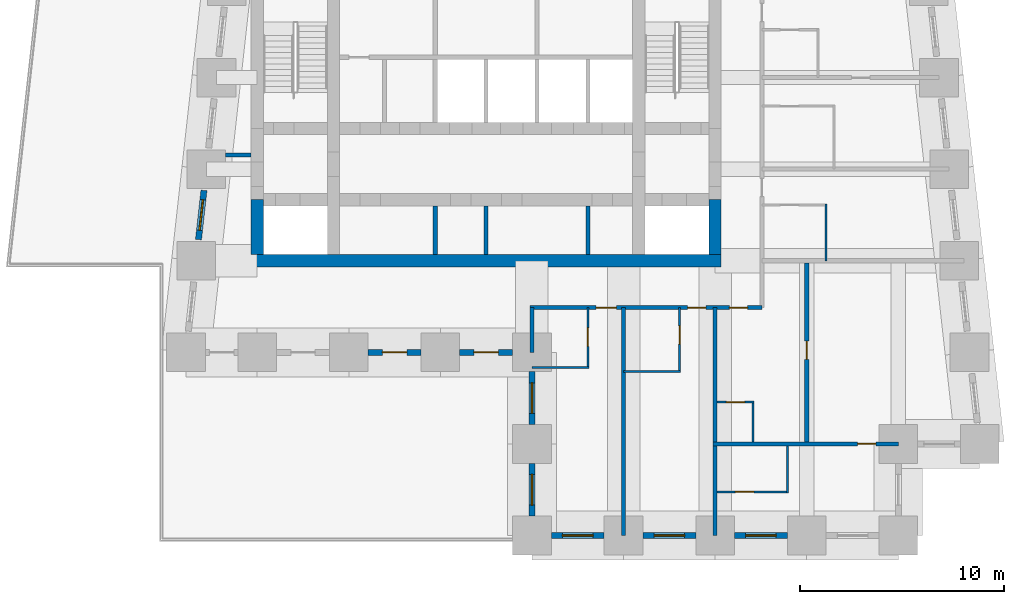
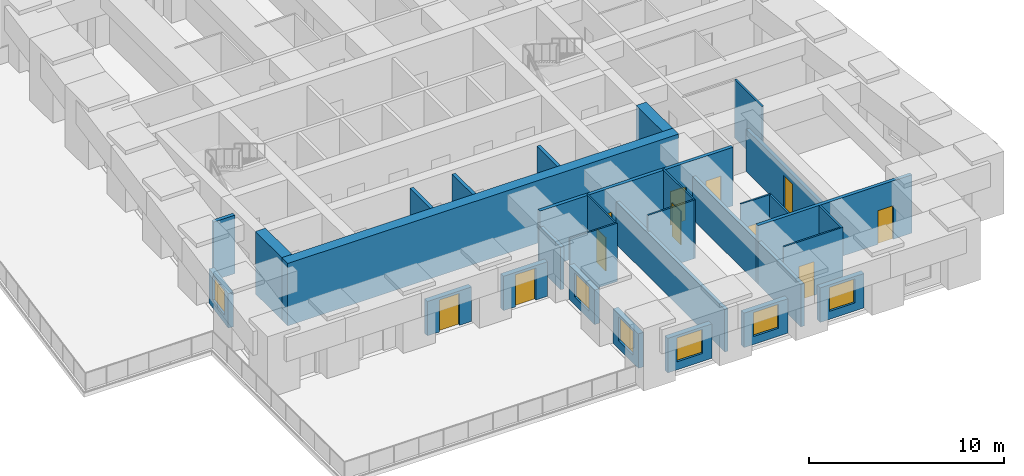
# One storey, part 2 of 7: 30 walls, 11 doors, 6 windows, 17 openings.
"""IFC4 building model written with IfcOpenShell, lengths in metres."""

from ifc_helpers import new_model, si_unit, direction, frame, frame_2d, origin, place, context, subcontext, project, spatial, rectangle, extrude, material, layer, layer_set, type_object, element, fill, save


model = new_model("IFC4")

# Units and contexts
model_context = context("Model", 3, precision=1e-05, world=origin(), true_north=direction((0.0, 1.0)))
body_context = subcontext(model_context, "Body", "Model", "MODEL_VIEW")
ifc_project = project(units=[si_unit("LENGTHUNIT", "METRE"), si_unit("AREAUNIT", "SQUARE_METRE"), si_unit("VOLUMEUNIT", "CUBIC_METRE"), si_unit("PLANEANGLEUNIT", "RADIAN"), si_unit("MASSUNIT", "GRAM", prefix="KILO")], contexts=[model_context])

# Site, building, storey
site_placement = place(None, origin())
site = spatial("IfcSite", under=ifc_project, at=site_placement, CompositionType="ELEMENT")
building_placement = place(site_placement, origin())
building = spatial("IfcBuilding", under=site, at=building_placement, Name="Kilele Tower Hotel", CompositionType="ELEMENT")
storey_placement = place(building_placement, frame((0.0, 0.0, 217.39990234375)))
storey = spatial("IfcBuildingStorey", under=building, at=storey_placement, Name="L56", CompositionType="ELEMENT", Elevation=217.39990234375)

# Wall
ifc_material_1 = material(Name="Moisture-resistant board")
ifc_layer_1 = layer(ifc_material_1, 0.10009765625)
ifc_layer_set_1 = layer_set([ifc_layer_1], Name="Moisture-resistant board")
wall_type_1 = type_object("IfcWallType", Name="Bathroom partition 100", PredefinedType="PLUMBINGWALL", material=ifc_layer_set_1)
wall_1_placement = place(storey_placement, frame((27.0, 8.25, 0.0), z_axis=(0.0, 0.0, 1.0), x_axis=(1.0, 0.0, 0.0)))
element("IfcWall", 1, at=wall_1_placement, inside=storey, type_object=wall_type_1, Name="Bathroom partition 100 L56", PredefinedType="PLUMBINGWALL", context=body_context, shape_type="SweptSolid", body=[
    extrude(rectangle(XDim=2.800048828125, YDim=0.10009765625, at=frame_2d((1.39990234375, 0.0))), origin(), (0.0, 0.0, 1.0), 3.650146484375),
])

# Wall, opening, door
wall_2_placement = place(storey_placement, frame((29.75, 11.199951171875, 0.0), z_axis=(0.0, 0.0, 1.0), x_axis=(0.0, -1.0, 0.0)))
wall_2 = element("IfcWall", 2, at=wall_2_placement, inside=storey, type_object=wall_type_1, Name="Bathroom partition 100 L56", PredefinedType="PLUMBINGWALL", context=body_context, shape_type="SweptSolid", body=[
    extrude(rectangle(XDim=3.0, YDim=0.10009765625, at=frame_2d((1.5, 0.0))), origin(), (0.0, 0.0, 1.0), 3.650146484375),
])
opening_1_placement = place(wall_2_placement, frame((1.0, 0.0, 0.0)))
opening_1 = element("IfcOpeningElement", 3, at=opening_1_placement, cuts=wall_2, Name="Opening D2A", PredefinedType="OPENING", context=body_context, shape_type="SweptSolid", body=[
    extrude(rectangle(XDim=0.89990234375, YDim=2.10009765625, at=frame_2d((0.449951171875, 1.050048828125))), frame((0.0, 0.06005859375, 0.0), z_axis=(0.0, -1.0, 0.0), x_axis=(1.0, 0.0, 0.0)), (0.0, 0.0, 1.0), 0.1201171875),
])
ifc_material_2 = material(Name="Timber door leaf in hardwood frame", Category="wood")
door_type_1 = type_object("IfcDoorType", Name="Bathroom door 900", OperationType="SINGLE_SWING_LEFT", PredefinedType="DOOR", material=ifc_material_2)
door_1_placement = place(opening_1_placement, origin())
door_1 = element("IfcDoor", 4, at=door_1_placement, inside=storey, type_object=door_type_1, Name="Bathroom door 5602B", OperationType="SINGLE_SWING_LEFT", OverallHeight=2.10009765625, OverallWidth=0.89990234375, PredefinedType="DOOR", context=body_context, shape_type="SweptSolid", body=[
    extrude(rectangle(XDim=0.89990234375, YDim=2.10009765625, at=frame_2d((0.449951171875, 1.050048828125))), frame((0.0, 0.02490234375, 0.0), z_axis=(0.0, -1.0, 0.0), x_axis=(1.0, 0.0, 0.0)), (0.0, 0.0, 1.0), 0.050048828125),
])
fill(opening_1, door_1)

# Wall
wall_3_placement = place(storey_placement, frame((31.5, 8.050048828125, 0.0), z_axis=(0.0, 0.0, 1.0), x_axis=(1.0, 0.0, 0.0)))
element("IfcWall", 5, at=wall_3_placement, inside=storey, type_object=wall_type_1, Name="Bathroom partition 100 L56", PredefinedType="PLUMBINGWALL", context=body_context, shape_type="SweptSolid", body=[
    extrude(rectangle(XDim=2.800048828125, YDim=0.10009765625, at=frame_2d((1.39990234375, 0.0))), origin(), (0.0, 0.0, 1.0), 3.650146484375),
])

# Wall, opening, door
wall_4_placement = place(storey_placement, frame((34.25, 11.199951171875, 0.0), z_axis=(0.0, 0.0, 1.0), x_axis=(0.0, -1.0, 0.0)))
wall_4 = element("IfcWall", 6, at=wall_4_placement, inside=storey, type_object=wall_type_1, Name="Bathroom partition 100 L56", PredefinedType="PLUMBINGWALL", context=body_context, shape_type="SweptSolid", body=[
    extrude(rectangle(XDim=3.199951171875, YDim=0.10009765625, at=frame_2d((1.60009765625, 0.0))), origin(), (0.0, 0.0, 1.0), 3.650146484375),
])
opening_2_placement = place(wall_4_placement, frame((0.89990234375, 0.0, 0.0)))
opening_2 = element("IfcOpeningElement", 7, at=opening_2_placement, cuts=wall_4, Name="Opening D2A", PredefinedType="OPENING", context=body_context, shape_type="SweptSolid", body=[
    extrude(rectangle(XDim=0.89990234375, YDim=2.10009765625, at=frame_2d((0.449951171875, 1.050048828125))), frame((0.0, 0.06005859375, 0.0), z_axis=(0.0, -1.0, 0.0), x_axis=(1.0, 0.0, 0.0)), (0.0, 0.0, 1.0), 0.1201171875),
])
door_2_placement = place(opening_2_placement, origin())
door_2 = element("IfcDoor", 8, at=door_2_placement, inside=storey, type_object=door_type_1, Name="Bathroom door 5603B", OperationType="SINGLE_SWING_LEFT", OverallHeight=2.10009765625, OverallWidth=0.89990234375, PredefinedType="DOOR", context=body_context, shape_type="SweptSolid", body=[
    extrude(rectangle(XDim=0.89990234375, YDim=2.10009765625, at=frame_2d((0.449951171875, 1.050048828125))), frame((0.0, 0.02490234375, 0.0), z_axis=(0.0, -1.0, 0.0), x_axis=(1.0, 0.0, 0.0)), (0.0, 0.0, 1.0), 0.050048828125),
])
fill(opening_2, door_2)

# Walls
wall_5_placement = place(storey_placement, frame((41.449951171875, 13.5, 0.0), z_axis=(0.0, 0.0, 1.0), x_axis=(0.0, 1.0, 0.0)))
element("IfcWall", 9, at=wall_5_placement, inside=storey, type_object=wall_type_1, Name="Bathroom partition 100 L56", PredefinedType="PLUMBINGWALL", context=body_context, shape_type="SweptSolid", body=[
    extrude(rectangle(XDim=2.800048828125, YDim=0.10009765625, at=frame_2d((1.39990234375, 0.0))), origin(), (0.0, 0.0, 1.0), 3.650146484375),
])
wall_6_placement = place(storey_placement, frame((37.85009765625, 4.60009765625, 0.0), z_axis=(0.0, 0.0, 1.0), x_axis=(0.0, 1.0, 0.0)))
element("IfcWall", 10, at=wall_6_placement, inside=storey, type_object=wall_type_1, Name="Bathroom partition 100 L56", PredefinedType="PLUMBINGWALL", context=body_context, shape_type="SweptSolid", body=[
    extrude(rectangle(XDim=2.0, YDim=0.10009765625, at=frame_2d((1.0, 0.0))), origin(), (0.0, 0.0, 1.0), 3.650146484375),
])

# Wall, opening, door
wall_7_placement = place(storey_placement, frame((36.10009765625, 6.550048828125, 0.0), z_axis=(0.0, 0.0, 1.0), x_axis=(1.0, 0.0, 0.0)))
wall_7 = element("IfcWall", 11, at=wall_7_placement, inside=storey, type_object=wall_type_1, Name="Bathroom partition 100 L56", PredefinedType="PLUMBINGWALL", context=body_context, shape_type="SweptSolid", body=[
    extrude(rectangle(XDim=1.7998046875, YDim=0.10009765625, at=frame_2d((0.89990234375, 0.0))), origin(), (0.0, 0.0, 1.0), 3.650146484375),
])
opening_3_placement = place(wall_7_placement, frame((0.449951171875, 0.0, 0.0)))
opening_3 = element("IfcOpeningElement", 12, at=opening_3_placement, cuts=wall_7, Name="Opening D2A", PredefinedType="OPENING", context=body_context, shape_type="SweptSolid", body=[
    extrude(rectangle(XDim=0.89990234375, YDim=2.10009765625, at=frame_2d((0.449951171875, 1.050048828125))), frame((0.0, 0.06005859375, 0.0), z_axis=(0.0, -1.0, 0.0), x_axis=(1.0, 0.0, 0.0)), (0.0, 0.0, 1.0), 0.1201171875),
])
door_3_placement = place(opening_3_placement, origin())
door_3 = element("IfcDoor", 13, at=door_3_placement, inside=storey, type_object=door_type_1, Name="Bathroom door 5612P", OperationType="SINGLE_SWING_LEFT", OverallHeight=2.10009765625, OverallWidth=0.89990234375, PredefinedType="DOOR", context=body_context, shape_type="SweptSolid", body=[
    extrude(rectangle(XDim=0.89990234375, YDim=2.10009765625, at=frame_2d((0.449951171875, 1.050048828125))), frame((0.0, 0.02490234375, 0.0), z_axis=(0.0, -1.0, 0.0), x_axis=(1.0, 0.0, 0.0)), (0.0, 0.0, 1.0), 0.050048828125),
])
fill(opening_3, door_3)

# Wall
wall_8_placement = place(storey_placement, frame((39.550048828125, 4.39990234375, 0.0), z_axis=(0.0, 0.0, 1.0), x_axis=(0.0, -1.0, 0.0)))
element("IfcWall", 14, at=wall_8_placement, inside=storey, type_object=wall_type_1, Name="Bathroom partition 100 L56", PredefinedType="PLUMBINGWALL", context=body_context, shape_type="SweptSolid", body=[
    extrude(rectangle(XDim=2.2998046875, YDim=0.10009765625, at=frame_2d((1.14990234375, 0.0))), origin(), (0.0, 0.0, 1.0), 3.650146484375),
])

# Wall, opening, door
wall_9_placement = place(storey_placement, frame((36.10009765625, 2.14990234375, 0.0), z_axis=(0.0, 0.0, 1.0), x_axis=(1.0, 0.0, 0.0)))
wall_9 = element("IfcWall", 15, at=wall_9_placement, inside=storey, type_object=wall_type_1, Name="Bathroom partition 100 L56", PredefinedType="PLUMBINGWALL", context=body_context, shape_type="SweptSolid", body=[
    extrude(rectangle(XDim=3.5, YDim=0.10009765625, at=frame_2d((1.75, 0.0))), origin(), (0.0, 0.0, 1.0), 3.650146484375),
])
opening_4_placement = place(wall_9_placement, frame((1.7998046875, 0.0, 0.0), z_axis=(0.0, 0.0, 1.0), x_axis=(-1.0, 0.0, 0.0)))
opening_4 = element("IfcOpeningElement", 16, at=opening_4_placement, cuts=wall_9, Name="Opening D2A", PredefinedType="OPENING", context=body_context, shape_type="SweptSolid", body=[
    extrude(rectangle(XDim=0.89990234375, YDim=2.10009765625, at=frame_2d((0.449951171875, 1.050048828125))), frame((0.0, 0.06005859375, 0.0), z_axis=(0.0, -1.0, 0.0), x_axis=(1.0, 0.0, 0.0)), (0.0, 0.0, 1.0), 0.1201171875),
])
door_4_placement = place(opening_4_placement, origin())
door_4 = element("IfcDoor", 17, at=door_4_placement, inside=storey, type_object=door_type_1, Name="Bathroom door 5614B", OperationType="SINGLE_SWING_RIGHT", OverallHeight=2.10009765625, OverallWidth=0.89990234375, PredefinedType="DOOR", context=body_context, shape_type="SweptSolid", body=[
    extrude(rectangle(XDim=0.89990234375, YDim=2.10009765625, at=frame_2d((0.449951171875, 1.050048828125))), frame((0.0, 0.02490234375, 0.0), z_axis=(0.0, -1.0, 0.0), x_axis=(1.0, 0.0, 0.0)), (0.0, 0.0, 1.0), 0.050048828125),
])
fill(opening_4, door_4)

# Walls
ifc_material_3 = material(Name="Concrete C60/75", Category="concrete")
ifc_layer_2 = layer(ifc_material_3, 0.60009765625)
ifc_layer_set_2 = layer_set([ifc_layer_2], Name="Concrete C60/75")
wall_type_2 = type_object("IfcWallType", Name="Core wall 600 C60/75", PredefinedType="SHEAR", material=ifc_layer_set_2)
wall_10_placement = place(storey_placement, frame((13.199951171875, 13.5, 0.0), z_axis=(0.0, 0.0, 1.0), x_axis=(1.0, 0.0, 0.0)))
element("IfcWall", 18, at=wall_10_placement, inside=storey, type_object=wall_type_2, Name="Core wall S L56", PredefinedType="SHEAR", context=body_context, shape_type="SweptSolid", body=[
    extrude(rectangle(XDim=23.10009765625, YDim=0.60009765625, at=frame_2d((11.550048828125, 0.0))), origin(), (0.0, 0.0, 1.0), 3.900146484375),
])
for number, where, z_axis, x_axis, name in (
    (19, (13.5, 16.5, 0.0), (0.0, 0.0, 1.0), (0.0, -1.0, 0.0), "Core wall W3 L56"),
    (20, (36.0, 13.800048828125, 0.0), (0.0, 0.0, 1.0), (0.0, 1.0, 0.0), "Core wall E1 L56"),
):
    element("IfcWall", number, at=place(storey_placement, frame(where, z_axis=z_axis, x_axis=x_axis)), inside=storey, type_object=wall_type_2, Name=name, PredefinedType="SHEAR", context=body_context, shape_type="SweptSolid", body=[
        extrude(rectangle(XDim=2.699951171875, YDim=0.60009765625, at=frame_2d((1.35009765625, 0.0))), origin(), (0.0, 0.0, 1.0), 3.900146484375),
    ])

# Wall, openings, doors
ifc_material_4 = material(Name="Blockwork, plastered both sides", Category="masonry")
ifc_layer_3 = layer(ifc_material_4, 0.199951171875)
ifc_layer_set_3 = layer_set([ifc_layer_3], Name="Blockwork, plastered both sides")
wall_type_3 = type_object("IfcWallType", Name="Corridor wall 200", PredefinedType="PARTITIONING", material=ifc_layer_set_3)
wall_11_placement = place(storey_placement, frame((26.89990234375, 11.199951171875, 0.0), z_axis=(0.0, 0.0, 1.0), x_axis=(1.0, 0.0, 0.0)))
wall_11 = element("IfcWall", 21, at=wall_11_placement, inside=storey, type_object=wall_type_3, Name="Corridor wall 200 L56", PredefinedType="PARTITIONING", context=body_context, shape_type="SweptSolid", body=[
    extrude(rectangle(XDim=11.400146484375, YDim=0.199951171875, at=frame_2d((5.7001953125, 0.0))), origin(), (0.0, 0.0, 1.0), 3.650146484375),
])
opening_5_placement = place(wall_11_placement, frame((4.25, 0.0, 0.0), z_axis=(0.0, 0.0, 1.0), x_axis=(-1.0, 0.0, 0.0)))
opening_5 = element("IfcOpeningElement", 22, at=opening_5_placement, cuts=wall_11, Name="Opening D1A", PredefinedType="OPENING", context=body_context, shape_type="SweptSolid", body=[
    extrude(rectangle(XDim=1.0, YDim=2.10009765625, at=frame_2d((0.5, 1.050048828125))), frame((0.0, 0.10986328125, 0.0), z_axis=(0.0, -1.0, 0.0), x_axis=(1.0, 0.0, 0.0)), (0.0, 0.0, 1.0), 0.219970703125),
])
opening_6_placement = place(wall_11_placement, frame((8.64990234375, 0.0, 0.0), z_axis=(0.0, 0.0, 1.0), x_axis=(-1.0, 0.0, 0.0)))
opening_6 = element("IfcOpeningElement", 23, at=opening_6_placement, cuts=wall_11, Name="Opening D1", PredefinedType="OPENING", context=body_context, shape_type="SweptSolid", body=[
    extrude(rectangle(XDim=0.89990234375, YDim=2.10009765625, at=frame_2d((0.449951171875, 1.050048828125))), frame((0.0, 0.10986328125, 0.0), z_axis=(0.0, -1.0, 0.0), x_axis=(1.0, 0.0, 0.0)), (0.0, 0.0, 1.0), 0.219970703125),
])
opening_7_placement = place(wall_11_placement, frame((10.699951171875, 0.0, 0.0), z_axis=(0.0, 0.0, 1.0), x_axis=(-1.0, 0.0, 0.0)))
opening_7 = element("IfcOpeningElement", 24, at=opening_7_placement, cuts=wall_11, Name="Opening D1", PredefinedType="OPENING", context=body_context, shape_type="SweptSolid", body=[
    extrude(rectangle(XDim=0.89990234375, YDim=2.10009765625, at=frame_2d((0.449951171875, 1.050048828125))), frame((0.0, 0.10986328125, 0.0), z_axis=(0.0, -1.0, 0.0), x_axis=(1.0, 0.0, 0.0)), (0.0, 0.0, 1.0), 0.219970703125),
])
ifc_material_5 = material(Name="Timber door leaf in hardwood frame", Category="wood")
door_type_2 = type_object("IfcDoorType", Name="Guest room entrance door 1000", OperationType="SINGLE_SWING_LEFT", PredefinedType="DOOR", material=ifc_material_5)
door_5_placement = place(opening_5_placement, origin())
door_5 = element("IfcDoor", 25, at=door_5_placement, inside=storey, type_object=door_type_2, Name="Room entrance 5602", OperationType="SINGLE_SWING_RIGHT", OverallHeight=2.10009765625, OverallWidth=1.0, PredefinedType="DOOR", context=body_context, shape_type="SweptSolid", body=[
    extrude(rectangle(XDim=1.0, YDim=2.10009765625, at=frame_2d((0.5, 1.050048828125))), frame((0.0, 0.02490234375, 0.0), z_axis=(0.0, -1.0, 0.0), x_axis=(1.0, 0.0, 0.0)), (0.0, 0.0, 1.0), 0.050048828125),
])
fill(opening_5, door_5)
ifc_material_6 = material(Name="Timber door leaf in hardwood frame", Category="wood")
door_type_3 = type_object("IfcDoorType", Name="Guest room entrance door 900", OperationType="SINGLE_SWING_LEFT", PredefinedType="DOOR", material=ifc_material_6)
door_6_placement = place(opening_6_placement, origin())
door_6 = element("IfcDoor", 26, at=door_6_placement, inside=storey, type_object=door_type_3, Name="Room entrance 5603", OperationType="SINGLE_SWING_LEFT", OverallHeight=2.10009765625, OverallWidth=0.89990234375, PredefinedType="DOOR", context=body_context, shape_type="SweptSolid", body=[
    extrude(rectangle(XDim=0.89990234375, YDim=2.10009765625, at=frame_2d((0.449951171875, 1.050048828125))), frame((0.0, 0.02490234375, 0.0), z_axis=(0.0, -1.0, 0.0), x_axis=(1.0, 0.0, 0.0)), (0.0, 0.0, 1.0), 0.050048828125),
])
fill(opening_6, door_6)
door_7_placement = place(opening_7_placement, origin())
door_7 = element("IfcDoor", 27, at=door_7_placement, inside=storey, type_object=door_type_3, Name="Room entrance 5612", OperationType="SINGLE_SWING_RIGHT", OverallHeight=2.10009765625, OverallWidth=0.89990234375, PredefinedType="DOOR", context=body_context, shape_type="SweptSolid", body=[
    extrude(rectangle(XDim=0.89990234375, YDim=2.10009765625, at=frame_2d((0.449951171875, 1.050048828125))), frame((0.0, 0.02490234375, 0.0), z_axis=(0.0, -1.0, 0.0), x_axis=(1.0, 0.0, 0.0)), (0.0, 0.0, 1.0), 0.050048828125),
])
fill(opening_7, door_7)

# Wall
ifc_material_7 = material(Name="Blockwork, plastered both sides", Category="masonry")
ifc_layer_4 = layer(ifc_material_7, 0.199951171875)
ifc_layer_set_4 = layer_set([ifc_layer_4], Name="Blockwork, plastered both sides")
wall_type_4 = type_object("IfcWallType", Name="Partition wall 200", PredefinedType="PARTITIONING", material=ifc_layer_set_4)
wall_12_placement = place(storey_placement, frame((13.199951171875, 18.699951171875, 0.0), z_axis=(0.0, 0.0, 1.0), x_axis=(-1.0, 0.0, 0.0)))
element("IfcWall", 28, at=wall_12_placement, inside=storey, type_object=wall_type_4, Name="Partition wall 200 L56", PredefinedType="PARTITIONING", context=body_context, shape_type="SweptSolid", body=[
    extrude(rectangle(XDim=1.25, YDim=0.199951171875, at=frame_2d((0.625, 0.0))), origin(), (0.0, 0.0, 1.0), 3.650146484375),
])

# Wall, opening, door
wall_13_placement = place(storey_placement, frame((40.5, 4.60009765625, 0.0), z_axis=(0.0, 0.0, 1.0), x_axis=(0.0, 1.0, 0.0)))
wall_13 = element("IfcWall", 29, at=wall_13_placement, inside=storey, type_object=wall_type_4, Name="Partition wall 200 L56", PredefinedType="PARTITIONING", context=body_context, shape_type="SweptSolid", body=[
    extrude(rectangle(XDim=8.7998046875, YDim=0.199951171875, at=frame_2d((4.39990234375, 0.0))), origin(), (0.0, 0.0, 1.0), 2.650146484375),
])
opening_8_placement = place(wall_13_placement, frame((4.050048828125, 0.0, 0.0)))
opening_8 = element("IfcOpeningElement", 30, at=opening_8_placement, cuts=wall_13, Name="Opening D3", PredefinedType="OPENING", context=body_context, shape_type="SweptSolid", body=[
    extrude(rectangle(XDim=0.89990234375, YDim=2.10009765625, at=frame_2d((0.449951171875, 1.050048828125))), frame((0.0, 0.10986328125, 0.0), z_axis=(0.0, -1.0, 0.0), x_axis=(1.0, 0.0, 0.0)), (0.0, 0.0, 1.0), 0.219970703125),
])
ifc_material_8 = material(Name="Timber door leaf in hardwood frame", Category="wood")
door_type_4 = type_object("IfcDoorType", Name="Suite internal door 900", OperationType="SINGLE_SWING_LEFT", PredefinedType="DOOR", material=ifc_material_8)
door_8_placement = place(opening_8_placement, origin())
door_8 = element("IfcDoor", 31, at=door_8_placement, inside=storey, type_object=door_type_4, Name="Suite door 5613", OperationType="SINGLE_SWING_RIGHT", OverallHeight=2.10009765625, OverallWidth=0.89990234375, PredefinedType="DOOR", context=body_context, shape_type="SweptSolid", body=[
    extrude(rectangle(XDim=0.89990234375, YDim=2.10009765625, at=frame_2d((0.449951171875, 1.050048828125))), frame((0.0, 0.02490234375, 0.0), z_axis=(0.0, -1.0, 0.0), x_axis=(1.0, 0.0, 0.0)), (0.0, 0.0, 1.0), 0.050048828125),
])
fill(opening_8, door_8)

# Walls
ifc_material_9 = material(Name="Blockwork, plastered both sides", Category="masonry")
ifc_layer_5 = layer(ifc_material_9, 0.199951171875)
ifc_layer_set_5 = layer_set([ifc_layer_5], Name="Blockwork, plastered both sides")
wall_type_5 = type_object("IfcWallType", Name="Party wall 200", PredefinedType="PARTITIONING", material=ifc_layer_set_5)
wall_14_placement = place(storey_placement, frame((27.0, 11.199951171875, 0.0), z_axis=(0.0, 0.0, 1.0), x_axis=(0.0, -1.0, 0.0)))
element("IfcWall", 32, at=wall_14_placement, inside=storey, type_object=wall_type_5, Name="Party wall 200 L56", PredefinedType="PARTITIONING", context=body_context, shape_type="SweptSolid", body=[
    extrude(rectangle(XDim=2.199951171875, YDim=0.199951171875, at=frame_2d((1.10009765625, 0.0))), origin(), (0.0, 0.0, 1.0), 2.650146484375),
])
for number, where, z_axis, x_axis, name in (
    (33, (31.5, 11.199951171875, 0.0), (0.0, 0.0, 1.0), (0.0, -1.0, 0.0), "Party wall 200 L56"),
    (34, (36.0, 11.199951171875, 0.0), (0.0, 0.0, 1.0), (0.0, -1.0, 0.0), "Party wall 200 L56"),
):
    element("IfcWall", number, at=place(storey_placement, frame(where, z_axis=z_axis, x_axis=x_axis)), inside=storey, type_object=wall_type_5, Name=name, PredefinedType="PARTITIONING", context=body_context, shape_type="SweptSolid", body=[
        extrude(rectangle(XDim=11.199951171875, YDim=0.199951171875, at=frame_2d((5.60009765625, 0.0))), origin(), (0.0, 0.0, 1.0), 2.650146484375),
    ])

# Wall, opening, door
wall_15_placement = place(storey_placement, frame((35.89990234375, 4.5, 0.0), z_axis=(0.0, 0.0, 1.0), x_axis=(1.0, 0.0, 0.0)))
wall_15 = element("IfcWall", 35, at=wall_15_placement, inside=storey, type_object=wall_type_5, Name="Party wall 200 L56", PredefinedType="PARTITIONING", context=body_context, shape_type="SweptSolid", body=[
    extrude(rectangle(XDim=9.10009765625, YDim=0.199951171875, at=frame_2d((4.550048828125, 0.0))), origin(), (0.0, 0.0, 1.0), 3.650146484375),
])
opening_9_placement = place(wall_15_placement, frame((7.10009765625, 0.0, 0.0)))
opening_9 = element("IfcOpeningElement", 36, at=opening_9_placement, cuts=wall_15, Name="Opening D3", PredefinedType="OPENING", context=body_context, shape_type="SweptSolid", body=[
    extrude(rectangle(XDim=0.89990234375, YDim=2.10009765625, at=frame_2d((0.449951171875, 1.050048828125))), frame((0.0, 0.10986328125, 0.0), z_axis=(0.0, -1.0, 0.0), x_axis=(1.0, 0.0, 0.0)), (0.0, 0.0, 1.0), 0.219970703125),
])
door_9_placement = place(opening_9_placement, origin())
door_9 = element("IfcDoor", 37, at=door_9_placement, inside=storey, type_object=door_type_4, Name="Suite door 5614", OperationType="SINGLE_SWING_RIGHT", OverallHeight=2.10009765625, OverallWidth=0.89990234375, PredefinedType="DOOR", context=body_context, shape_type="SweptSolid", body=[
    extrude(rectangle(XDim=0.89990234375, YDim=2.10009765625, at=frame_2d((0.449951171875, 1.050048828125))), frame((0.0, 0.02490234375, 0.0), z_axis=(0.0, -1.0, 0.0), x_axis=(1.0, 0.0, 0.0)), (0.0, 0.0, 1.0), 0.050048828125),
])
fill(opening_9, door_9)

ifc_material_10 = material(Name="Concrete C40/50 precast", Category="concrete")
ifc_layer_6 = layer(ifc_material_10, 0.260009765625, Name="Precast backing", Category="LoadBearing")
ifc_material_11 = material(Name="Reconstituted stone finish", Category="masonry")
ifc_layer_7 = layer(ifc_material_11, 0.0400390625, Name="Face mix", Category="Finish")
ifc_layer_set_6 = layer_set([ifc_layer_6, ifc_layer_7], Name="Precast concrete C40/50, reconstituted stone finish")
wall_type_6 = type_object("IfcWallType", Name="Precast stone facade wall 300", PredefinedType="STANDARD", material=ifc_layer_set_6)
wall_16_placement = place(storey_placement, frame((18.949951171875, 9.0, 0.0), z_axis=(0.0, 0.0, 1.0), x_axis=(1.0, 0.0, 0.0)))
wall_16 = element("IfcWall", 38, at=wall_16_placement, inside=storey, type_object=wall_type_6, Name="Facade wall L56 edge 1 bay 3", PredefinedType="STANDARD", context=body_context, shape_type="SweptSolid", body=[
    extrude(rectangle(XDim=2.60009765625, YDim=0.300048828125, at=frame_2d((1.300048828125, 0.0))), origin(), (0.0, 0.0, 1.0), 2.150146484375),
])
opening_10_placement = place(wall_16_placement, frame((0.699951171875, 0.0, 0.0)))
opening_10 = element("IfcOpeningElement", 39, at=opening_10_placement, cuts=wall_16, Name="Opening TD3", PredefinedType="OPENING", context=body_context, shape_type="SweptSolid", body=[
    extrude(rectangle(XDim=1.199951171875, YDim=2.0, at=frame_2d((0.60009765625, 1.0))), frame((0.0, 0.159912109375, 0.0), z_axis=(0.0, -1.0, 0.0), x_axis=(1.0, 0.0, 0.0)), (0.0, 0.0, 1.0), 0.320068359375),
])
ifc_material_12 = material(Name="Aluminium frame, clear glazing", Category="aluminium")
door_type_5 = type_object("IfcDoorType", Name="Terrace door 1200 x 2000", OperationType="SINGLE_SWING_LEFT", PredefinedType="DOOR", material=ifc_material_12)
door_10_placement = place(opening_10_placement, origin())
door_10 = element("IfcDoor", 40, at=door_10_placement, inside=storey, type_object=door_type_5, Name="Terrace door L56", OperationType="SINGLE_SWING_RIGHT", OverallHeight=2.0, OverallWidth=1.199951171875, PredefinedType="DOOR", context=body_context, shape_type="SweptSolid", body=[
    extrude(rectangle(XDim=1.199951171875, YDim=2.0, at=frame_2d((0.60009765625, 1.0))), frame((0.0, 0.02490234375, 0.0), z_axis=(0.0, -1.0, 0.0), x_axis=(1.0, 0.0, 0.0)), (0.0, 0.0, 1.0), 0.050048828125),
])
fill(opening_10, door_10)

wall_17_placement = place(storey_placement, frame((23.449951171875, 9.0, 0.0), z_axis=(0.0, 0.0, 1.0), x_axis=(1.0, 0.0, 0.0)))
wall_17 = element("IfcWall", 41, at=wall_17_placement, inside=storey, type_object=wall_type_6, Name="Facade wall L56 edge 1 bay 4", PredefinedType="STANDARD", context=body_context, shape_type="SweptSolid", body=[
    extrude(rectangle(XDim=2.60009765625, YDim=0.300048828125, at=frame_2d((1.300048828125, 0.0))), origin(), (0.0, 0.0, 1.0), 2.150146484375),
])
opening_11_placement = place(wall_17_placement, frame((0.699951171875, 0.0, 0.0)))
opening_11 = element("IfcOpeningElement", 42, at=opening_11_placement, cuts=wall_17, Name="Opening TD3", PredefinedType="OPENING", context=body_context, shape_type="SweptSolid", body=[
    extrude(rectangle(XDim=1.199951171875, YDim=2.0, at=frame_2d((0.60009765625, 1.0))), frame((0.0, 0.159912109375, 0.0), z_axis=(0.0, -1.0, 0.0), x_axis=(1.0, 0.0, 0.0)), (0.0, 0.0, 1.0), 0.320068359375),
])
door_11_placement = place(opening_11_placement, origin())
door_11 = element("IfcDoor", 43, at=door_11_placement, inside=storey, type_object=door_type_5, Name="Terrace door L56", OperationType="SINGLE_SWING_RIGHT", OverallHeight=2.0, OverallWidth=1.199951171875, PredefinedType="DOOR", context=body_context, shape_type="SweptSolid", body=[
    extrude(rectangle(XDim=1.199951171875, YDim=2.0, at=frame_2d((0.60009765625, 1.0))), frame((0.0, 0.02490234375, 0.0), z_axis=(0.0, -1.0, 0.0), x_axis=(1.0, 0.0, 0.0)), (0.0, 0.0, 1.0), 0.050048828125),
])
fill(opening_11, door_11)

# Wall, opening, window
wall_18_placement = place(storey_placement, frame((27.0, 8.050048828125, 0.0), z_axis=(0.0, 0.0, 1.0), x_axis=(0.0, -1.0, 0.0)))
wall_18 = element("IfcWall", 44, at=wall_18_placement, inside=storey, type_object=wall_type_6, Name="Facade wall L56 edge 2 bay 1", PredefinedType="STANDARD", context=body_context, shape_type="SweptSolid", body=[
    extrude(rectangle(XDim=2.60009765625, YDim=0.300048828125, at=frame_2d((1.300048828125, 0.0))), origin(), (0.0, 0.0, 1.0), 2.150146484375),
])
opening_12_placement = place(wall_18_placement, frame((0.550048828125, 0.0, 0.5)))
opening_12 = element("IfcOpeningElement", 45, at=opening_12_placement, cuts=wall_18, Name="Opening W4", PredefinedType="OPENING", context=body_context, shape_type="SweptSolid", body=[
    extrude(rectangle(XDim=1.5, YDim=1.5, at=frame_2d((0.75, 0.75))), frame((0.0, 0.159912109375, 0.0), z_axis=(0.0, -1.0, 0.0), x_axis=(1.0, 0.0, 0.0)), (0.0, 0.0, 1.0), 0.320068359375),
])
ifc_material_13 = material(Name="Aluminium frame, clear double glazing", Category="aluminium")
window_type = type_object("IfcWindowType", Name="Window W4 1500 x 1500", PartitioningType="SINGLE_PANEL", PredefinedType="WINDOW", material=ifc_material_13)
window_1_placement = place(opening_12_placement, origin())
window_1 = element("IfcWindow", 46, at=window_1_placement, inside=storey, type_object=window_type, Name="Window L56", OverallHeight=1.5, OverallWidth=1.5, PartitioningType="SINGLE_PANEL", PredefinedType="WINDOW", context=body_context, shape_type="SweptSolid", body=[
    extrude(rectangle(XDim=1.5, YDim=1.5, at=frame_2d((0.75, 0.75))), frame((0.0, 0.030029296875, 0.0), z_axis=(0.0, -1.0, 0.0), x_axis=(1.0, 0.0, 0.0)), (0.0, 0.0, 1.0), 0.06005859375),
])
fill(opening_12, window_1)

wall_19_placement = place(storey_placement, frame((27.0, 3.550048828125, 0.0), z_axis=(0.0, 0.0, 1.0), x_axis=(0.0, -1.0, 0.0)))
wall_19 = element("IfcWall", 47, at=wall_19_placement, inside=storey, type_object=wall_type_6, Name="Facade wall L56 edge 2 bay 2", PredefinedType="STANDARD", context=body_context, shape_type="SweptSolid", body=[
    extrude(rectangle(XDim=2.60009765625, YDim=0.300048828125, at=frame_2d((1.300048828125, 0.0))), origin(), (0.0, 0.0, 1.0), 2.150146484375),
])
opening_13_placement = place(wall_19_placement, frame((0.550048828125, 0.0, 0.5)))
opening_13 = element("IfcOpeningElement", 48, at=opening_13_placement, cuts=wall_19, Name="Opening W4", PredefinedType="OPENING", context=body_context, shape_type="SweptSolid", body=[
    extrude(rectangle(XDim=1.5, YDim=1.5, at=frame_2d((0.75, 0.75))), frame((0.0, 0.159912109375, 0.0), z_axis=(0.0, -1.0, 0.0), x_axis=(1.0, 0.0, 0.0)), (0.0, 0.0, 1.0), 0.320068359375),
])
window_2_placement = place(opening_13_placement, origin())
window_2 = element("IfcWindow", 49, at=window_2_placement, inside=storey, type_object=window_type, Name="Window L56", OverallHeight=1.5, OverallWidth=1.5, PartitioningType="SINGLE_PANEL", PredefinedType="WINDOW", context=body_context, shape_type="SweptSolid", body=[
    extrude(rectangle(XDim=1.5, YDim=1.5, at=frame_2d((0.75, 0.75))), frame((0.0, 0.030029296875, 0.0), z_axis=(0.0, -1.0, 0.0), x_axis=(1.0, 0.0, 0.0)), (0.0, 0.0, 1.0), 0.06005859375),
])
fill(opening_13, window_2)

wall_20_placement = place(storey_placement, frame((27.949951171875, 0.0, 0.0), z_axis=(0.0, 0.0, 1.0), x_axis=(1.0, 0.0, 0.0)))
wall_20 = element("IfcWall", 50, at=wall_20_placement, inside=storey, type_object=wall_type_6, Name="Facade wall L56 edge 3 bay 1", PredefinedType="STANDARD", context=body_context, shape_type="SweptSolid", body=[
    extrude(rectangle(XDim=2.60009765625, YDim=0.300048828125, at=frame_2d((1.300048828125, 0.0))), origin(), (0.0, 0.0, 1.0), 2.150146484375),
])
opening_14_placement = place(wall_20_placement, frame((0.550048828125, 0.0, 0.5)))
opening_14 = element("IfcOpeningElement", 51, at=opening_14_placement, cuts=wall_20, Name="Opening W4", PredefinedType="OPENING", context=body_context, shape_type="SweptSolid", body=[
    extrude(rectangle(XDim=1.5, YDim=1.5, at=frame_2d((0.75, 0.75))), frame((0.0, 0.159912109375, 0.0), z_axis=(0.0, -1.0, 0.0), x_axis=(1.0, 0.0, 0.0)), (0.0, 0.0, 1.0), 0.320068359375),
])
window_3_placement = place(opening_14_placement, origin())
window_3 = element("IfcWindow", 52, at=window_3_placement, inside=storey, type_object=window_type, Name="Window L56", OverallHeight=1.5, OverallWidth=1.5, PartitioningType="SINGLE_PANEL", PredefinedType="WINDOW", context=body_context, shape_type="SweptSolid", body=[
    extrude(rectangle(XDim=1.5, YDim=1.5, at=frame_2d((0.75, 0.75))), frame((0.0, 0.030029296875, 0.0), z_axis=(0.0, -1.0, 0.0), x_axis=(1.0, 0.0, 0.0)), (0.0, 0.0, 1.0), 0.06005859375),
])
fill(opening_14, window_3)

wall_21_placement = place(storey_placement, frame((32.449951171875, 0.0, 0.0), z_axis=(0.0, 0.0, 1.0), x_axis=(1.0, 0.0, 0.0)))
wall_21 = element("IfcWall", 53, at=wall_21_placement, inside=storey, type_object=wall_type_6, Name="Facade wall L56 edge 3 bay 2", PredefinedType="STANDARD", context=body_context, shape_type="SweptSolid", body=[
    extrude(rectangle(XDim=2.60009765625, YDim=0.300048828125, at=frame_2d((1.300048828125, 0.0))), origin(), (0.0, 0.0, 1.0), 2.150146484375),
])
opening_15_placement = place(wall_21_placement, frame((0.550048828125, 0.0, 0.5)))
opening_15 = element("IfcOpeningElement", 54, at=opening_15_placement, cuts=wall_21, Name="Opening W4", PredefinedType="OPENING", context=body_context, shape_type="SweptSolid", body=[
    extrude(rectangle(XDim=1.5, YDim=1.5, at=frame_2d((0.75, 0.75))), frame((0.0, 0.159912109375, 0.0), z_axis=(0.0, -1.0, 0.0), x_axis=(1.0, 0.0, 0.0)), (0.0, 0.0, 1.0), 0.320068359375),
])
window_4_placement = place(opening_15_placement, origin())
window_4 = element("IfcWindow", 55, at=window_4_placement, inside=storey, type_object=window_type, Name="Window L56", OverallHeight=1.5, OverallWidth=1.5, PartitioningType="SINGLE_PANEL", PredefinedType="WINDOW", context=body_context, shape_type="SweptSolid", body=[
    extrude(rectangle(XDim=1.5, YDim=1.5, at=frame_2d((0.75, 0.75))), frame((0.0, 0.030029296875, 0.0), z_axis=(0.0, -1.0, 0.0), x_axis=(1.0, 0.0, 0.0)), (0.0, 0.0, 1.0), 0.06005859375),
])
fill(opening_15, window_4)

wall_22_placement = place(storey_placement, frame((36.949951171875, 0.0, 0.0), z_axis=(0.0, 0.0, 1.0), x_axis=(1.0, 0.0, 0.0)))
wall_22 = element("IfcWall", 56, at=wall_22_placement, inside=storey, type_object=wall_type_6, Name="Facade wall L56 edge 3 bay 3", PredefinedType="STANDARD", context=body_context, shape_type="SweptSolid", body=[
    extrude(rectangle(XDim=2.60009765625, YDim=0.300048828125, at=frame_2d((1.300048828125, 0.0))), origin(), (0.0, 0.0, 1.0), 2.150146484375),
])
opening_16_placement = place(wall_22_placement, frame((0.550048828125, 0.0, 0.5)))
opening_16 = element("IfcOpeningElement", 57, at=opening_16_placement, cuts=wall_22, Name="Opening W4", PredefinedType="OPENING", context=body_context, shape_type="SweptSolid", body=[
    extrude(rectangle(XDim=1.5, YDim=1.5, at=frame_2d((0.75, 0.75))), frame((0.0, 0.159912109375, 0.0), z_axis=(0.0, -1.0, 0.0), x_axis=(1.0, 0.0, 0.0)), (0.0, 0.0, 1.0), 0.320068359375),
])
window_5_placement = place(opening_16_placement, origin())
window_5 = element("IfcWindow", 58, at=window_5_placement, inside=storey, type_object=window_type, Name="Window L56", OverallHeight=1.5, OverallWidth=1.5, PartitioningType="SINGLE_PANEL", PredefinedType="WINDOW", context=body_context, shape_type="SweptSolid", body=[
    extrude(rectangle(XDim=1.5, YDim=1.5, at=frame_2d((0.75, 0.75))), frame((0.0, 0.030029296875, 0.0), z_axis=(0.0, -1.0, 0.0), x_axis=(1.0, 0.0, 0.0)), (0.0, 0.0, 1.0), 0.06005859375),
])
fill(opening_16, window_5)

wall_23_placement = place(storey_placement, frame((10.884033203125, 16.957275390625, 0.0), z_axis=(0.0, 0.0, 1.0), x_axis=(-0.110343286306, -0.993893535127, 0.0)))
wall_23 = element("IfcWall", 59, at=wall_23_placement, inside=storey, type_object=wall_type_6, Name="Facade wall L56 edge 10 bay 6", PredefinedType="STANDARD", context=body_context, shape_type="SweptSolid", body=[
    extrude(rectangle(XDim=2.429443359375, YDim=0.300048828125, at=frame_2d((1.21484375, 0.0))), origin(), (0.0, 0.0, 1.0), 2.150146484375),
])
opening_17_placement = place(wall_23_placement, frame((0.46435546875, 0.0, 0.5)))
opening_17 = element("IfcOpeningElement", 60, at=opening_17_placement, cuts=wall_23, Name="Opening W4", PredefinedType="OPENING", context=body_context, shape_type="SweptSolid", body=[
    extrude(rectangle(XDim=1.5, YDim=1.5, at=frame_2d((0.75, 0.75))), frame((0.0, 0.159912109375, 0.0), z_axis=(0.0, -1.0, 0.0), x_axis=(1.0, 0.0, 0.0)), (0.0, 0.0, 1.0), 0.320068359375),
])
window_6_placement = place(opening_17_placement, origin())
window_6 = element("IfcWindow", 61, at=window_6_placement, inside=storey, type_object=window_type, Name="Window L56", OverallHeight=1.5, OverallWidth=1.5, PartitioningType="SINGLE_PANEL", PredefinedType="WINDOW", context=body_context, shape_type="SweptSolid", body=[
    extrude(rectangle(XDim=1.5, YDim=1.5, at=frame_2d((0.75, 0.75))), frame((0.0, 0.030029296875, 0.0), z_axis=(0.0, -1.0, 0.0), x_axis=(1.0, 0.0, 0.0)), (0.0, 0.0, 1.0), 0.06005859375),
])
fill(opening_17, window_6)

# Walls
ifc_material_14 = material(Name="Blockwork, fire-rated", Category="masonry")
ifc_layer_8 = layer(ifc_material_14, 0.199951171875)
ifc_layer_set_7 = layer_set([ifc_layer_8], Name="Blockwork, fire-rated")
wall_type_7 = type_object("IfcWallType", Name="Shaft wall 200", PredefinedType="PARTITIONING", material=ifc_layer_set_7)
for number, where, z_axis, x_axis, name in (
    (62, (22.25, 13.800048828125, 0.0), (0.0, 0.0, 1.0), (0.0, 1.0, 0.0), "Shaft wall 200 L56"),
    (63, (24.75, 13.800048828125, 0.0), (0.0, 0.0, 1.0), (0.0, 1.0, 0.0), "Shaft wall 200 L56"),
    (64, (29.75, 13.800048828125, 0.0), (0.0, 0.0, 1.0), (0.0, 1.0, 0.0), "Shaft wall 200 L56"),
):
    element("IfcWall", number, at=place(storey_placement, frame(where, z_axis=z_axis, x_axis=x_axis)), inside=storey, type_object=wall_type_7, Name=name, PredefinedType="PARTITIONING", context=body_context, shape_type="SweptSolid", body=[
        extrude(rectangle(XDim=2.39990234375, YDim=0.199951171875, at=frame_2d((1.199951171875, 0.0))), origin(), (0.0, 0.0, 1.0), 3.650146484375),
    ])

save(model, "model.ifc")
